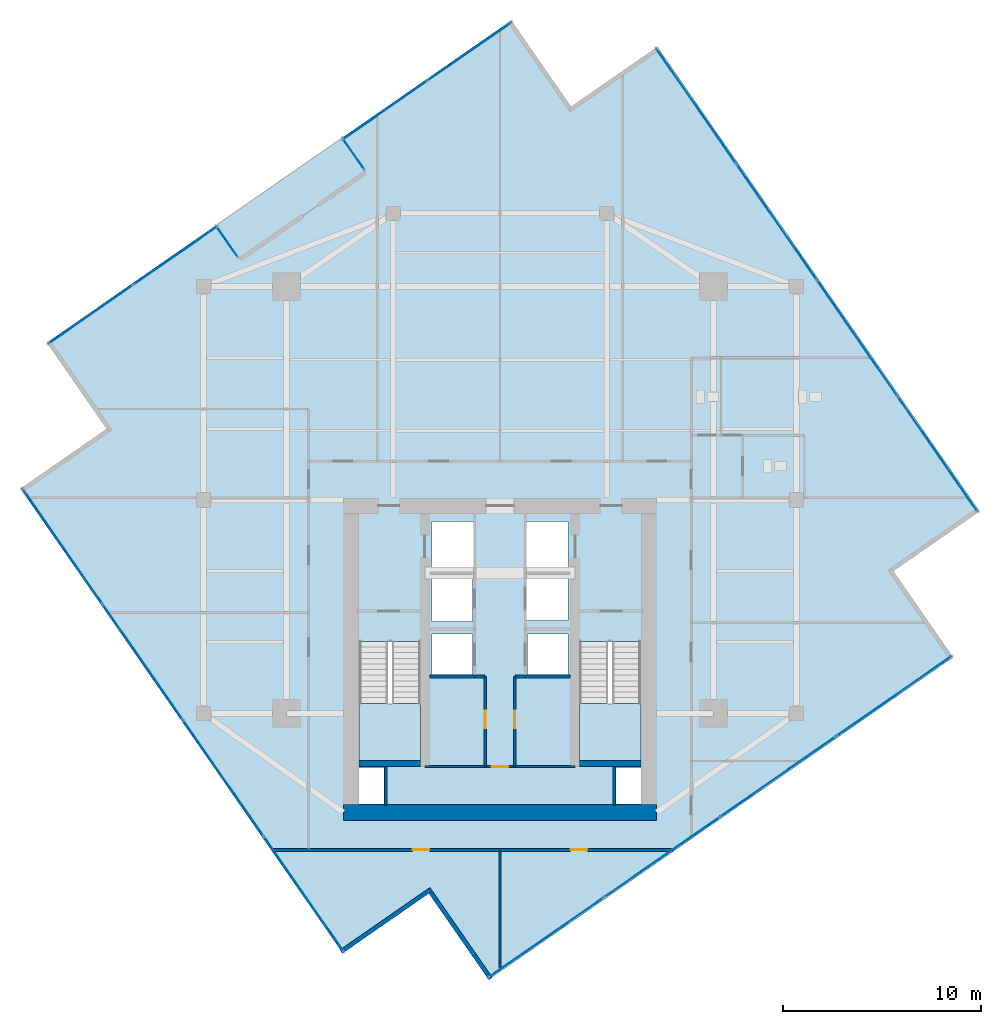
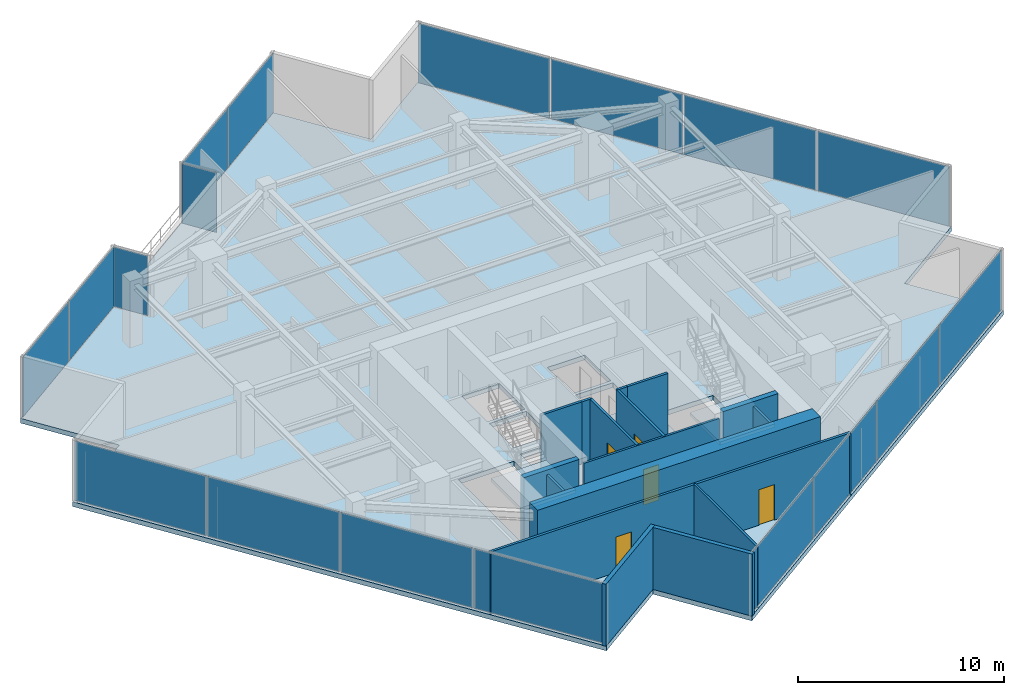
# One storey, part 17 of 21: 18 plates, 16 walls, 5 doors, 3 slabs, 5 openings, 9 elements without a shape of their own.
"""IFC4 building model written with IfcOpenShell, lengths in metres."""

import ifcopenshell
import ifcopenshell.guid

model = None  # the IFC model being written
_history = None  # IfcOwnerHistory: only IFC2X3 demands one
_inside = {}  # id of a spatial element -> (the spatial element, [elements in it])
_under = {}  # id of a project, library or spatial element -> (it, [spatial elements below it])
_declared = {}  # id of a project -> (the project, [libraries it declares])
_typed = {}  # id of a type object -> (the type object, [elements of that type])
_made_of = {}  # id of a material, layer set ... -> (it, [elements and type objects made of it])


def new_model(schema):
    """Start an empty IFC model of exactly this schema.

    Asked for "IFC4X3", IfcOpenShell would pick the latest addendum, in which some entities
    have other attributes; the version numbers below select the first issue.
    IFC2X3 requires an IfcOwnerHistory on every rooted entity: one is made here for all.
    """
    global model, _history
    if schema == "IFC4X3":
        model = ifcopenshell.file(schema_version=(4, 3, 0, 0))
    else:
        model = ifcopenshell.file(schema=schema)
    _inside.clear()
    _under.clear()
    _declared.clear()
    _typed.clear()
    _made_of.clear()
    _history = None
    if model.schema == "IFC2X3":
        org = make("IfcOrganization", Name="unknown")
        user = make(
            "IfcPersonAndOrganization",
            ThePerson=make("IfcPerson", FamilyName="unknown"),
            TheOrganization=org,
        )
        app = make(
            "IfcApplication",
            ApplicationDeveloper=org,
            Version="unknown",
            ApplicationFullName="unknown",
            ApplicationIdentifier="unknown",
        )
        _history = make(
            "IfcOwnerHistory",
            OwningUser=user,
            OwningApplication=app,
            ChangeAction="ADDED",
            CreationDate=0,
        )
    return model


def make(cls, **values):
    """One entity of the class cls with the attributes given. An attribute that is None is left unset."""
    return model.create_entity(
        cls, **{name: value for name, value in values.items() if value is not None}
    )


def rooted(cls, **values):
    """An entity with a GlobalId (a new one), such as an element, a storey or a relation."""
    return make(cls, GlobalId=ifcopenshell.guid.new(), OwnerHistory=_history, **values)


def si_unit(unit_type, name, prefix=None):
    """IfcSIUnit, for example si_unit("LENGTHUNIT", "METRE", prefix="MILLI")."""
    return make("IfcSIUnit", UnitType=unit_type, Prefix=prefix, Name=name)


def assignment(units):
    """IfcUnitAssignment: the units of a project."""
    return None if units is None else make("IfcUnitAssignment", Units=units)


def point(xyz):
    """IfcCartesianPoint."""
    return None if xyz is None else make("IfcCartesianPoint", Coordinates=xyz)


def direction(xyz):
    """IfcDirection."""
    return None if xyz is None else make("IfcDirection", DirectionRatios=xyz)


def frame(location, z_axis=None, x_axis=None):
    """IfcAxis2Placement3D, a coordinate frame: its origin and axes. An axis left out is left unset."""
    return make(
        "IfcAxis2Placement3D",
        Location=point(location),
        Axis=direction(z_axis),
        RefDirection=direction(x_axis),
    )


def frame_2d(location, x_axis=None):
    """IfcAxis2Placement2D, a coordinate frame in the plane: its origin and x axis."""
    return make(
        "IfcAxis2Placement2D", Location=point(location), RefDirection=direction(x_axis)
    )


def origin():
    """The frame at (0, 0, 0) with its axes left unset."""
    return frame((0.0, 0.0, 0.0))


def origin_2d():
    """The frame at (0, 0) in the plane with its x axis left unset."""
    return frame_2d((0.0, 0.0))


def place(relative_to, where):
    """IfcLocalPlacement: puts the frame where relative to a parent placement (None: the world)."""
    return make(
        "IfcLocalPlacement", PlacementRelTo=relative_to, RelativePlacement=where
    )


def context(
    kind, dimensions, precision=None, world=None, true_north=None, identifier=None
):
    """IfcGeometricRepresentationContext, for example the 3D "Model" context."""
    return make(
        "IfcGeometricRepresentationContext",
        ContextIdentifier=identifier,
        ContextType=kind,
        CoordinateSpaceDimension=dimensions,
        Precision=precision,
        WorldCoordinateSystem=world,
        TrueNorth=true_north,
    )


def subcontext(parent, identifier, kind, view, scale=None):
    """IfcGeometricRepresentationSubContext, for example "Body" below "Model"."""
    return make(
        "IfcGeometricRepresentationSubContext",
        ContextIdentifier=identifier,
        ContextType=kind,
        ParentContext=parent,
        TargetScale=scale,
        TargetView=view,
    )


def project(units=None, contexts=None):
    """IfcProject with its units and contexts."""
    return rooted(
        "IfcProject",
        Name="project",
        RepresentationContexts=contexts,
        UnitsInContext=assignment(units),
    )


def spatial(cls, under=None, at=None, **own):
    """A site, building, storey or space (cls), placed at a placement, below another one or the project."""
    s = rooted(cls, ObjectPlacement=at, **own)
    if under is not None:
        _under.setdefault(under.id(), (under, []))[1].append(s)
    return s


def polyline(points):
    """IfcPolyline through the points."""
    return make("IfcPolyline", Points=[point(p) for p in points])


def profile(cls, at=None, kind="AREA", **sizes):
    """A parametric profile (cls). Its sizes go by their IFC names, for example OverallWidth=200.0."""
    return make(cls, ProfileType=kind, Position=at, **sizes)


def rectangle(**sizes):
    """IfcRectangleProfileDef."""
    return profile("IfcRectangleProfileDef", **sizes)


def outline(outer, holes=None, kind="AREA"):
    """IfcArbitraryClosedProfileDef: a profile drawn as a closed curve; with holes, ...WithVoids."""
    if holes is None:
        return make("IfcArbitraryClosedProfileDef", ProfileType=kind, OuterCurve=outer)
    return make(
        "IfcArbitraryProfileDefWithVoids",
        ProfileType=kind,
        OuterCurve=outer,
        InnerCurves=holes,
    )


def extrude(swept, where, along, depth):
    """IfcExtrudedAreaSolid: the profile swept, set in the frame where, extruded along a direction by depth."""
    return make(
        "IfcExtrudedAreaSolid",
        SweptArea=swept,
        Position=where,
        ExtrudedDirection=direction(along),
        Depth=depth,
    )


def shape(context_of_items, identifier, shape_type, items):
    """IfcShapeRepresentation: the items that make up one representation, for example the "Body"."""
    return make(
        "IfcShapeRepresentation",
        ContextOfItems=context_of_items,
        RepresentationIdentifier=identifier,
        RepresentationType=shape_type,
        Items=items,
    )


def source(mapping_origin, context_of_items, identifier, shape_type, items):
    """IfcRepresentationMap: a shape defined once, which mapped items show again and again."""
    return make(
        "IfcRepresentationMap",
        MappingOrigin=mapping_origin,
        MappedRepresentation=shape(context_of_items, identifier, shape_type, items),
    )


def transform(
    local_origin,
    x_axis=None,
    y_axis=None,
    z_axis=None,
    scale=None,
    scale2=None,
    scale3=None,
    uniform=True,
):
    """IfcCartesianTransformationOperator3D, or its non-uniform kind. x_axis, y_axis, z_axis: its Axis1, 2, 3."""
    if uniform:
        return make(
            "IfcCartesianTransformationOperator3D",
            Axis1=direction(x_axis),
            Axis2=direction(y_axis),
            LocalOrigin=point(local_origin),
            Scale=scale,
            Axis3=direction(z_axis),
        )
    return make(
        "IfcCartesianTransformationOperator3DnonUniform",
        Axis1=direction(x_axis),
        Axis2=direction(y_axis),
        LocalOrigin=point(local_origin),
        Scale=scale,
        Axis3=direction(z_axis),
        Scale2=scale2,
        Scale3=scale3,
    )


def mapped(mapping_source, mapping_target):
    """IfcMappedItem: shows the shape of a source again, moved by a transform."""
    return make(
        "IfcMappedItem", MappingSource=mapping_source, MappingTarget=mapping_target
    )


def material(Name=None, Category=None):
    """IfcMaterial."""
    return make("IfcMaterial", Name=Name, Category=Category)


def layer(
    of_material, thickness, ventilated=None, Name=None, Category=None, Priority=None
):
    """IfcMaterialLayer: one layer of a wall or slab, of a material (None: an air gap)."""
    return make(
        "IfcMaterialLayer",
        Material=of_material,
        LayerThickness=thickness,
        IsVentilated=ventilated,
        Name=Name,
        Category=Category,
        Priority=Priority,
    )


def layer_set(layers, Name=None):
    """IfcMaterialLayerSet."""
    return make("IfcMaterialLayerSet", MaterialLayers=layers, LayerSetName=Name)


def made_of(thing, what):
    """Note that an element or type object is made of a material, layer set ...; save() writes the relation."""
    if what is not None:
        _made_of.setdefault(what.id(), (what, []))[1].append(thing)
    return thing


def type_object(cls, material=None, **own):
    """A type object (cls), such as IfcWallType, which elements share."""
    return made_of(rooted(cls, **own), material)


def type_shapes(of_type, sources):
    """Give a type object the sources (RepresentationMaps) that its elements show as mapped items."""
    of_type.RepresentationMaps = sources


def element(
    cls,
    number,
    at=None,
    inside=None,
    cuts=None,
    type_object=None,
    material=None,
    context=None,
    identifier="Body",
    shape_type=None,
    held_by="IfcProductDefinitionShape",
    body=None,
    shapes=None,
    **own,
):
    """One element of the class cls, such as IfcWall. Its Tag is "e" and its number.

    at: its placement. inside: the storey or other place that contains it. cuts: it is an
    opening in that element (IfcRelVoidsElement). A single representation is given by context,
    identifier, shape_type and body (its items); several are given by shapes. held_by: the class
    of the entity that holds the representations. save() writes the other relations.
    """
    e = rooted(cls, Tag="e%d" % number, ObjectPlacement=at, **own)
    if body is not None:
        shapes = [shape(context, identifier, shape_type, body)]
    if shapes is not None:
        e.Representation = make(held_by, Representations=shapes)
    if inside is not None:
        _inside.setdefault(inside.id(), (inside, []))[1].append(e)
    if cuts is not None:
        rooted(
            "IfcRelVoidsElement", RelatingBuildingElement=cuts, RelatedOpeningElement=e
        )
    if type_object is not None:
        _typed.setdefault(type_object.id(), (type_object, []))[1].append(e)
    return made_of(e, material)


def fill(opening, filler):
    """IfcRelFillsElement: the door or window that sits in an opening."""
    return rooted(
        "IfcRelFillsElement",
        RelatingOpeningElement=opening,
        RelatedBuildingElement=filler,
    )


def aggregate(whole, parts):
    """IfcRelAggregates: a whole, such as a stair, and the parts it consists of."""
    return rooted("IfcRelAggregates", RelatingObject=whole, RelatedObjects=parts)


def save(model, path):
    """Write the relations noted so far, then the file.

    IfcRelAggregates (storeys below a building ...), IfcRelContainedInSpatialStructure (elements
    in a storey), IfcRelDefinesByType, IfcRelAssociatesMaterial and IfcRelDeclares: one each for
    every whole, place, type object, material and project.
    """
    for whole, parts in _under.values():
        aggregate(whole, parts)
    for where, things in _inside.values():
        rooted(
            "IfcRelContainedInSpatialStructure",
            RelatedElements=things,
            RelatingStructure=where,
        )
    for kind, things in _typed.values():
        rooted("IfcRelDefinesByType", RelatedObjects=things, RelatingType=kind)
    for what, things in _made_of.values():
        rooted("IfcRelAssociatesMaterial", RelatedObjects=things, RelatingMaterial=what)
    for by, libraries in _declared.values():
        rooted("IfcRelDeclares", RelatingContext=by, RelatedDefinitions=libraries)
    model.write(path)


model = new_model("IFC4")

# Units and contexts
model_context = context("Model", 3, precision=1e-05, world=origin(), true_north=direction((0.0, 1.0)))
body_context = subcontext(model_context, "Body", "Model", "MODEL_VIEW")
ifc_project = project(units=[si_unit("LENGTHUNIT", "METRE"), si_unit("AREAUNIT", "SQUARE_METRE"), si_unit("VOLUMEUNIT", "CUBIC_METRE"), si_unit("PLANEANGLEUNIT", "RADIAN"), si_unit("MASSUNIT", "GRAM", prefix="KILO")], contexts=[model_context])

# Site, building, storey
site_placement = place(None, origin())
site = spatial("IfcSite", under=ifc_project, at=site_placement, CompositionType="ELEMENT")
building_placement = place(site_placement, origin())
building = spatial("IfcBuilding", under=site, at=building_placement, Name="Krantzveldt Concourse Tower", CompositionType="ELEMENT")
storey_placement = place(building_placement, frame((0.0, 0.0, 275.300048828125)))
storey = spatial("IfcBuildingStorey", under=building, at=storey_placement, Name="L67", CompositionType="ELEMENT", Elevation=275.300048828125)

# Stair, slab
ifc_material_1 = material(Name="Precast concrete C40/50", Category="concrete")
stair_type = type_object("IfcStairType", Name="STR-CORE-DOGLEG", PredefinedType="HALF_TURN_STAIR", material=ifc_material_1)
stair_1_placement = place(storey_placement, origin())
stair_1 = element("IfcStair", 1, at=stair_1_placement, inside=storey, type_object=stair_type, Name="L67 Protected Escape Stair ST-1", PredefinedType="HALF_TURN_STAIR")
ifc_layer_1 = layer(ifc_material_1, 0.199951171875, Name="Precast concrete C40/50", Category="concrete")
ifc_layer_set_1 = layer_set([ifc_layer_1], Name="Precast concrete C40/50 (SL-LANDING-200)")
slab_type_1 = type_object("IfcSlabType", Name="SL-LANDING-200", PredefinedType="LANDING", material=ifc_layer_set_1)
slab_1_placement = place(storey_placement, frame((0.0, 0.0, 1.77490234375)))
slab_1 = element("IfcSlab", 2, at=slab_1_placement, type_object=slab_type_1, Name="ST-1 landing 1", PredefinedType="LANDING", context=body_context, shape_type="SweptSolid", body=[
    extrude(outline(polyline([(28.8798828125, 16.4150390625), (28.8798828125, 13.52001953125), (31.97998046875, 13.52001953125), (31.97998046875, 16.4150390625), (28.8798828125, 16.4150390625)])), origin(), (0.0, 0.0, 1.0), 0.199951171875),
])
aggregate(stair_1, [slab_1])

stair_2_placement = place(storey_placement, origin())
stair_2 = element("IfcStair", 3, at=stair_2_placement, inside=storey, type_object=stair_type, Name="L67 Protected Escape Stair ST-2", PredefinedType="HALF_TURN_STAIR")
slab_2_placement = place(storey_placement, frame((0.0, 0.0, 1.77490234375)))
slab_2 = element("IfcSlab", 4, at=slab_2_placement, type_object=slab_type_1, Name="ST-2 landing 1", PredefinedType="LANDING", context=body_context, shape_type="SweptSolid", body=[
    extrude(outline(polyline([(40.02001953125, 16.4150390625), (40.02001953125, 13.52001953125), (43.1201171875, 13.52001953125), (43.1201171875, 16.4150390625), (40.02001953125, 16.4150390625)])), origin(), (0.0, 0.0, 1.0), 0.199951171875),
])
aggregate(stair_2, [slab_2])

# Slab
ifc_material_2 = material(Name="Concrete C40/50", Category="concrete")
ifc_layer_2 = layer(ifc_material_2, 0.280029296875, Name="Concrete C40/50", Category="concrete")
ifc_layer_set_2 = layer_set([ifc_layer_2], Name="Concrete C40/50 (SL-SL-TER280)")
slab_type_2 = type_object("IfcSlabType", Name="SL-SL-TER280", PredefinedType="FLOOR", material=ifc_layer_set_2)
slab_3_placement = place(storey_placement, frame((0.0, 0.0, -0.280029296875)))
element("IfcSlab", 5, at=slab_3_placement, inside=storey, type_object=slab_type_2, Name="SL-L67-MAIN", PredefinedType="FLOOR", context=body_context, shape_type="SweptSolid", body=[
    extrude(outline(polyline([(39.5986328125, 46.6005859375), (36.57763671875, 50.955322265625), (13.07861328125, 34.6533203125), (16.099609375, 30.298583984375), (11.744873046875, 27.277587890625), (28.046630859375, 3.778564453125), (32.4013671875, 6.799560546875), (35.42236328125, 2.44482421875), (58.92138671875, 18.74658203125), (55.900390625, 23.101318359375), (60.255126953125, 26.122314453125), (43.953369140625, 49.62158203125), (39.5986328125, 46.6005859375)]), holes=[polyline([(28.8798828125, 19.547607421875), (28.8798828125, 13.52001953125), (31.97998046875, 13.52001953125), (31.97998046875, 19.547607421875), (28.8798828125, 19.547607421875)]), polyline([(40.02001953125, 19.547607421875), (40.02001953125, 13.52001953125), (43.1201171875, 13.52001953125), (43.1201171875, 19.547607421875), (40.02001953125, 19.547607421875)]), polyline([(32.550048828125, 23.10009765625), (34.64990234375, 23.10009765625), (34.64990234375, 25.60009765625), (32.550048828125, 25.60009765625), (32.550048828125, 23.10009765625)]), polyline([(37.35009765625, 23.10009765625), (39.449951171875, 23.10009765625), (39.449951171875, 25.60009765625), (37.35009765625, 25.60009765625), (37.35009765625, 23.10009765625)]), polyline([(37.35009765625, 20.60009765625), (39.449951171875, 20.60009765625), (39.449951171875, 22.89990234375), (37.35009765625, 22.89990234375), (37.35009765625, 20.60009765625)]), polyline([(32.550048828125, 20.550048828125), (34.6201171875, 20.550048828125), (34.6201171875, 22.89990234375), (32.550048828125, 22.89990234375), (32.550048828125, 20.550048828125)]), polyline([(32.550048828125, 17.8798828125), (34.6201171875, 17.8798828125), (34.6201171875, 19.919921875), (32.550048828125, 19.919921875), (32.550048828125, 17.8798828125)]), polyline([(37.3798828125, 17.8798828125), (39.449951171875, 17.8798828125), (39.449951171875, 19.919921875), (37.3798828125, 19.919921875), (37.3798828125, 17.8798828125)]), polyline([(28.8798828125, 11.320068359375), (30.139892578125, 11.320068359375), (30.139892578125, 13.159912109375), (28.8798828125, 13.159912109375), (28.8798828125, 11.320068359375)]), polyline([(41.860107421875, 11.320068359375), (43.1201171875, 11.320068359375), (43.1201171875, 13.159912109375), (41.860107421875, 13.159912109375), (41.860107421875, 11.320068359375)])]), origin(), (0.0, 0.0, 1.0), 0.280029296875),
])

# Curtain wall, plate
ifc_material_3 = material(Name="Anodised aluminium 6063-T6", Category="aluminium")
curtain_wall_type_1 = type_object("IfcCurtainWallType", Name="CW6", PredefinedType="USERDEFINED", material=ifc_material_3)
curtain_wall_1_placement = place(storey_placement, origin())
curtain_wall_1 = element("IfcCurtainWall", 6, at=curtain_wall_1_placement, inside=storey, type_object=curtain_wall_type_1, Name="CW-L67-TR02", ObjectType="UNITISED CURTAIN WALL", PredefinedType="USERDEFINED")
ifc_material_4 = material(Name="Bronze-tinted laminated low-E IGU glass", Category="glass")
ifc_layer_3 = layer(ifc_material_4, 0.031982421875, Name="Bronze-tinted laminated low-E IGU glass", Category="glass")
ifc_layer_set_3 = layer_set([ifc_layer_3], Name="Bronze-tinted laminated low-E IGU glass (CW-GLZ-32)")
plate_type = type_object("IfcPlateType", Name="CW-GLZ-32", PredefinedType="CURTAIN_PANEL", material=ifc_layer_set_3)
shared_shape_1 = source(origin(), body_context, "Body", "SweptSolid", [
    extrude(rectangle(XDim=1.860107421875, YDim=0.031982421875, at=origin_2d()), origin(), (0.0, 0.0, 1.0), 3.530029296875),
])
plate_1_placement = place(storey_placement, frame((28.59423828125, 44.199951171875, 0.06982421875), z_axis=(0.0, 0.0, 1.0), x_axis=(0.569997514107, -0.8216464166, 0.0)))
plate_1 = element("IfcPlate", 7, at=plate_1_placement, type_object=plate_type, Name="CW-TERR panel 1.1", PredefinedType="CURTAIN_PANEL", context=body_context, shape_type="MappedRepresentation", body=[
    mapped(shared_shape_1, transform((0.0, 0.0, 0.0), x_axis=(1.0, 0.0, 0.0), y_axis=(0.0, 1.0, 0.0), z_axis=(0.0, 0.0, 1.0), scale=1.0)),
])
aggregate(curtain_wall_1, [plate_1])

curtain_wall_2_placement = place(storey_placement, origin())
curtain_wall_2 = element("IfcCurtainWall", 8, at=curtain_wall_2_placement, inside=storey, type_object=curtain_wall_type_1, Name="CW-L67-TR04", ObjectType="UNITISED CURTAIN WALL", PredefinedType="USERDEFINED")
plate_2_placement = place(storey_placement, frame((22.201904296875, 39.765380859375, 0.06982421875), z_axis=(0.0, 0.0, 1.0), x_axis=(-0.569996480262, 0.821647133805, 0.0)))
plate_2 = element("IfcPlate", 9, at=plate_2_placement, type_object=plate_type, Name="CW-TERR panel 1.1", PredefinedType="CURTAIN_PANEL", context=body_context, shape_type="MappedRepresentation", body=[
    mapped(shared_shape_1, transform((0.0, 0.0, 0.0), x_axis=(1.0, 0.0, 0.0), y_axis=(0.0, 1.0, 0.0), z_axis=(0.0, 0.0, 1.0), scale=1.0)),
])
aggregate(curtain_wall_2, [plate_2])

# Curtain wall, plates
curtain_wall_type_2 = type_object("IfcCurtainWallType", Name="CW4", PredefinedType="USERDEFINED", material=ifc_material_3)
curtain_wall_3_placement = place(storey_placement, origin())
curtain_wall_3 = element("IfcCurtainWall", 10, at=curtain_wall_3_placement, inside=storey, type_object=curtain_wall_type_2, Name="CW-L67-F08", ObjectType="UNITISED CURTAIN WALL", PredefinedType="USERDEFINED")
shared_shape_2 = source(origin(), body_context, "Body", "SweptSolid", [
    extrude(rectangle(XDim=7.044921875, YDim=0.031982421875, at=origin_2d()), origin(), (0.0, 0.0, 1.0), 3.530029296875),
])
plate_3_placement = place(storey_placement, frame((13.866455078125, 24.377197265625, 0.06982421875), z_axis=(0.0, 0.0, 1.0), x_axis=(0.569996627395, -0.821647031735, 0.0)))
plate_3 = element("IfcPlate", 11, at=plate_3_placement, type_object=plate_type, Name="CW-Z56 panel 1.1", PredefinedType="CURTAIN_PANEL", context=body_context, shape_type="MappedRepresentation", body=[
    mapped(shared_shape_2, transform((0.0, 0.0, 0.0), x_axis=(1.0, 0.0, 0.0), y_axis=(0.0, 1.0, 0.0), z_axis=(0.0, 0.0, 1.0), scale=1.0)),
])
plate_4_placement = place(storey_placement, frame((26.072998046875, 6.781494140625, 0.06982421875), z_axis=(0.0, 0.0, 1.0), x_axis=(0.569996627395, -0.821647031735, 0.0)))
plate_4 = element("IfcPlate", 12, at=plate_4_placement, type_object=plate_type, Name="CW-Z56 panel 4.1", PredefinedType="CURTAIN_PANEL", context=body_context, shape_type="MappedRepresentation", body=[
    mapped(shared_shape_2, transform((0.0, 0.0, 0.0), x_axis=(1.0, 0.0, 0.0), y_axis=(0.0, 1.0, 0.0), z_axis=(0.0, 0.0, 1.0), scale=1.0)),
])

curtain_wall_4_placement = place(storey_placement, origin())
curtain_wall_4 = element("IfcCurtainWall", 13, at=curtain_wall_4_placement, inside=storey, type_object=curtain_wall_type_2, Name="CW-L67-F11", ObjectType="UNITISED CURTAIN WALL", PredefinedType="USERDEFINED")
plate_5_placement = place(storey_placement, frame((38.32275390625, 4.56640625, 0.06982421875), z_axis=(0.0, 0.0, 1.0), x_axis=(0.821647031735, 0.569996627395, 0.0)))
plate_5 = element("IfcPlate", 14, at=plate_5_placement, type_object=plate_type, Name="CW-Z56 panel 1.1", PredefinedType="CURTAIN_PANEL", context=body_context, shape_type="MappedRepresentation", body=[
    mapped(shared_shape_2, transform((0.0, 0.0, 0.0), x_axis=(1.0, 0.0, 0.0), y_axis=(0.0, 1.0, 0.0), z_axis=(0.0, 0.0, 1.0), scale=1.0)),
])
plate_6_placement = place(storey_placement, frame((55.91845703125, 16.77294921875, 0.06982421875), z_axis=(0.0, 0.0, 1.0), x_axis=(0.821647031735, 0.569996627395, 0.0)))
plate_6 = element("IfcPlate", 15, at=plate_6_placement, type_object=plate_type, Name="CW-Z56 panel 4.1", PredefinedType="CURTAIN_PANEL", context=body_context, shape_type="MappedRepresentation", body=[
    mapped(shared_shape_2, transform((0.0, 0.0, 0.0), x_axis=(1.0, 0.0, 0.0), y_axis=(0.0, 1.0, 0.0), z_axis=(0.0, 0.0, 1.0), scale=1.0)),
])

curtain_wall_5_placement = place(storey_placement, origin())
curtain_wall_5 = element("IfcCurtainWall", 16, at=curtain_wall_5_placement, inside=storey, type_object=curtain_wall_type_2, Name="CW-L67-F14", ObjectType="UNITISED CURTAIN WALL", PredefinedType="USERDEFINED")
plate_7_placement = place(storey_placement, frame((58.133544921875, 29.02294921875, 0.06982421875), z_axis=(0.0, 0.0, 1.0), x_axis=(-0.569996627395, 0.821647031735, 0.0)))
plate_7 = element("IfcPlate", 17, at=plate_7_placement, type_object=plate_type, Name="CW-Z56 panel 1.1", PredefinedType="CURTAIN_PANEL", context=body_context, shape_type="MappedRepresentation", body=[
    mapped(shared_shape_2, transform((0.0, 0.0, 0.0), x_axis=(1.0, 0.0, 0.0), y_axis=(0.0, 1.0, 0.0), z_axis=(0.0, 0.0, 1.0), scale=1.0)),
])
plate_8_placement = place(storey_placement, frame((45.927001953125, 46.618408203125, 0.06982421875), z_axis=(0.0, 0.0, 1.0), x_axis=(-0.569996627395, 0.821647031735, 0.0)))
plate_8 = element("IfcPlate", 18, at=plate_8_placement, type_object=plate_type, Name="CW-Z56 panel 4.1", PredefinedType="CURTAIN_PANEL", context=body_context, shape_type="MappedRepresentation", body=[
    mapped(shared_shape_2, transform((0.0, 0.0, 0.0), x_axis=(1.0, 0.0, 0.0), y_axis=(0.0, 1.0, 0.0), z_axis=(0.0, 0.0, 1.0), scale=1.0)),
])

# Plate
shared_shape_3 = source(origin(), body_context, "Body", "SweptSolid", [
    extrude(rectangle(XDim=7.080078125, YDim=0.031982421875, at=origin_2d()), origin(), (0.0, 0.0, 1.0), 3.530029296875),
])
plate_9_placement = place(storey_placement, frame((17.931884765625, 18.516845703125, 0.06982421875), z_axis=(0.0, 0.0, 1.0), x_axis=(0.569996627395, -0.821647031735, 0.0)))
plate_9 = element("IfcPlate", 19, at=plate_9_placement, type_object=plate_type, Name="CW-Z56 panel 2.1", PredefinedType="CURTAIN_PANEL", context=body_context, shape_type="MappedRepresentation", body=[
    mapped(shared_shape_3, transform((0.0, 0.0, 0.0), x_axis=(1.0, 0.0, 0.0), y_axis=(0.0, 1.0, 0.0), z_axis=(0.0, 0.0, 1.0), scale=1.0)),
])

plate_10_placement = place(storey_placement, frame((22.00732421875, 12.64208984375, 0.06982421875), z_axis=(0.0, 0.0, 1.0), x_axis=(0.569996627395, -0.821647031735, 0.0)))
plate_10 = element("IfcPlate", 20, at=plate_10_placement, type_object=plate_type, Name="CW-Z56 panel 3.1", PredefinedType="CURTAIN_PANEL", context=body_context, shape_type="MappedRepresentation", body=[
    mapped(shared_shape_3, transform((0.0, 0.0, 0.0), x_axis=(1.0, 0.0, 0.0), y_axis=(0.0, 1.0, 0.0), z_axis=(0.0, 0.0, 1.0), scale=1.0)),
])

aggregate(curtain_wall_3, [plate_3, plate_9, plate_10, plate_4])

plate_11_placement = place(storey_placement, frame((44.183349609375, 8.6318359375, 0.06982421875), z_axis=(0.0, 0.0, 1.0), x_axis=(0.821647031735, 0.569996627395, 0.0)))
plate_11 = element("IfcPlate", 21, at=plate_11_placement, type_object=plate_type, Name="CW-Z56 panel 2.1", PredefinedType="CURTAIN_PANEL", context=body_context, shape_type="MappedRepresentation", body=[
    mapped(shared_shape_3, transform((0.0, 0.0, 0.0), x_axis=(1.0, 0.0, 0.0), y_axis=(0.0, 1.0, 0.0), z_axis=(0.0, 0.0, 1.0), scale=1.0)),
])

plate_12_placement = place(storey_placement, frame((50.05810546875, 12.70751953125, 0.06982421875), z_axis=(0.0, 0.0, 1.0), x_axis=(0.821647031735, 0.569996627395, 0.0)))
plate_12 = element("IfcPlate", 22, at=plate_12_placement, type_object=plate_type, Name="CW-Z56 panel 3.1", PredefinedType="CURTAIN_PANEL", context=body_context, shape_type="MappedRepresentation", body=[
    mapped(shared_shape_3, transform((0.0, 0.0, 0.0), x_axis=(1.0, 0.0, 0.0), y_axis=(0.0, 1.0, 0.0), z_axis=(0.0, 0.0, 1.0), scale=1.0)),
])

aggregate(curtain_wall_4, [plate_5, plate_11, plate_12, plate_6])

plate_13_placement = place(storey_placement, frame((54.068115234375, 34.88330078125, 0.06982421875), z_axis=(0.0, 0.0, 1.0), x_axis=(-0.569996627395, 0.821647031735, 0.0)))
plate_13 = element("IfcPlate", 23, at=plate_13_placement, type_object=plate_type, Name="CW-Z56 panel 2.1", PredefinedType="CURTAIN_PANEL", context=body_context, shape_type="MappedRepresentation", body=[
    mapped(shared_shape_3, transform((0.0, 0.0, 0.0), x_axis=(1.0, 0.0, 0.0), y_axis=(0.0, 1.0, 0.0), z_axis=(0.0, 0.0, 1.0), scale=1.0)),
])

plate_14_placement = place(storey_placement, frame((49.99267578125, 40.758056640625, 0.06982421875), z_axis=(0.0, 0.0, 1.0), x_axis=(-0.569996627395, 0.821647031735, 0.0)))
plate_14 = element("IfcPlate", 24, at=plate_14_placement, type_object=plate_type, Name="CW-Z56 panel 3.1", PredefinedType="CURTAIN_PANEL", context=body_context, shape_type="MappedRepresentation", body=[
    mapped(shared_shape_3, transform((0.0, 0.0, 0.0), x_axis=(1.0, 0.0, 0.0), y_axis=(0.0, 1.0, 0.0), z_axis=(0.0, 0.0, 1.0), scale=1.0)),
])

aggregate(curtain_wall_5, [plate_7, plate_13, plate_14, plate_8])

# Curtain wall, plates
curtain_wall_6_placement = place(storey_placement, origin())
curtain_wall_6 = element("IfcCurtainWall", 25, at=curtain_wall_6_placement, inside=storey, type_object=curtain_wall_type_2, Name="CW-L67-F01", ObjectType="UNITISED CURTAIN WALL", PredefinedType="USERDEFINED")
shared_shape_4 = source(origin(), body_context, "Body", "SweptSolid", [
    extrude(rectangle(XDim=5.14501953125, YDim=0.031982421875, at=origin_2d()), origin(), (0.0, 0.0, 1.0), 3.530029296875),
])
type_shapes(plate_type, [shared_shape_1, shared_shape_2, shared_shape_3, shared_shape_4])
plate_15_placement = place(storey_placement, frame((34.457763671875, 49.375, 0.06982421875), z_axis=(0.0, 0.0, 1.0), x_axis=(-0.821647117748, -0.569996503407, 0.0)))
plate_15 = element("IfcPlate", 26, at=plate_15_placement, type_object=plate_type, Name="CW-Z56 panel 1.1", PredefinedType="CURTAIN_PANEL", context=body_context, shape_type="MappedRepresentation", body=[
    mapped(shared_shape_4, transform((0.0, 0.0, 0.0), x_axis=(1.0, 0.0, 0.0), y_axis=(0.0, 1.0, 0.0), z_axis=(0.0, 0.0, 1.0), scale=1.0)),
])
plate_16_placement = place(storey_placement, frame((30.1728515625, 46.402587890625, 0.06982421875), z_axis=(0.0, 0.0, 1.0), x_axis=(-0.821647117748, -0.569996503407, 0.0)))
plate_16 = element("IfcPlate", 27, at=plate_16_placement, type_object=plate_type, Name="CW-Z56 panel 2.1", PredefinedType="CURTAIN_PANEL", context=body_context, shape_type="MappedRepresentation", body=[
    mapped(shared_shape_4, transform((0.0, 0.0, 0.0), x_axis=(1.0, 0.0, 0.0), y_axis=(0.0, 1.0, 0.0), z_axis=(0.0, 0.0, 1.0), scale=1.0)),
])
aggregate(curtain_wall_6, [plate_15, plate_16])

curtain_wall_7_placement = place(storey_placement, origin())
curtain_wall_7 = element("IfcCurtainWall", 28, at=curtain_wall_7_placement, inside=storey, type_object=curtain_wall_type_2, Name="CW-L67-F05", ObjectType="UNITISED CURTAIN WALL", PredefinedType="USERDEFINED")
plate_17_placement = place(storey_placement, frame((19.5859375, 39.05810546875, 0.06982421875), z_axis=(0.0, 0.0, 1.0), x_axis=(-0.82164742717, -0.569996057376, 0.0)))
plate_17 = element("IfcPlate", 29, at=plate_17_placement, type_object=plate_type, Name="CW-Z56 panel 1.1", PredefinedType="CURTAIN_PANEL", context=body_context, shape_type="MappedRepresentation", body=[
    mapped(shared_shape_4, transform((0.0, 0.0, 0.0), x_axis=(1.0, 0.0, 0.0), y_axis=(0.0, 1.0, 0.0), z_axis=(0.0, 0.0, 1.0), scale=1.0)),
])
plate_18_placement = place(storey_placement, frame((15.301025390625, 36.085693359375, 0.06982421875), z_axis=(0.0, 0.0, 1.0), x_axis=(-0.82164742717, -0.569996057376, 0.0)))
plate_18 = element("IfcPlate", 30, at=plate_18_placement, type_object=plate_type, Name="CW-Z56 panel 2.1", PredefinedType="CURTAIN_PANEL", context=body_context, shape_type="MappedRepresentation", body=[
    mapped(shared_shape_4, transform((0.0, 0.0, 0.0), x_axis=(1.0, 0.0, 0.0), y_axis=(0.0, 1.0, 0.0), z_axis=(0.0, 0.0, 1.0), scale=1.0)),
])
aggregate(curtain_wall_7, [plate_17, plate_18])

# Walls
ifc_layer_4 = layer(ifc_material_3, 0.219970703125, Name="Anodised aluminium 6063-T6", Category="aluminium")
ifc_layer_set_4 = layer_set([ifc_layer_4], Name="Anodised aluminium 6063-T6 (WL-EXT-NOTCH220)")
wall_type_1 = type_object("IfcWallType", Name="WL-EXT-NOTCH220", PredefinedType="ELEMENTEDWALL", material=ifc_layer_set_4)
wall_1_placement = place(storey_placement, frame((27.96337890625, 3.854736328125, 0.0), z_axis=(0.0, 0.0, 1.0), x_axis=(0.821652918874, 0.569988141022, 0.0)))
element("IfcWall", 31, at=wall_1_placement, inside=storey, type_object=wall_type_1, Name="EW-L67-NCH09", PredefinedType="ELEMENTEDWALL", context=body_context, shape_type="SweptSolid", body=[
    extrude(rectangle(XDim=5.545166015625, YDim=0.219970703125, at=frame_2d((2.7724609375, 0.0))), origin(), (0.0, 0.0, 1.0), 3.669921875),
])
wall_2_placement = place(storey_placement, frame((32.49169921875, 6.8623046875, 0.0), z_axis=(0.0, 0.0, 1.0), x_axis=(0.569998811791, -0.821645516361, 0.0)))
element("IfcWall", 32, at=wall_2_placement, inside=storey, type_object=wall_type_1, Name="EW-L67-NCH10", PredefinedType="ELEMENTEDWALL", context=body_context, shape_type="SweptSolid", body=[
    extrude(rectangle(XDim=5.3251953125, YDim=0.219970703125, at=frame_2d((2.66259765625, 0.0))), origin(), (0.0, 0.0, 1.0), 3.669921875),
])

# Wall, opening, door
ifc_material_5 = material(Name="Fire-rated gypsum plasterboard on steel stud", Category="steel")
ifc_layer_5 = layer(ifc_material_5, 0.1201171875, Name="Fire-rated gypsum plasterboard on steel stud", Category="steel")
ifc_layer_set_5 = layer_set([ifc_layer_5], Name="Fire-rated gypsum plasterboard on steel stud (WL-PART-120)")
wall_type_2 = type_object("IfcWallType", Name="WL-PART-120", PredefinedType="PARTITIONING", material=ifc_layer_set_5)
wall_3_placement = place(storey_placement, frame((32.2099609375, 13.219970703125, 0.0), z_axis=(0.0, 0.0, 1.0), x_axis=(1.0, 0.0, 0.0)))
wall_3 = element("IfcWall", 33, at=wall_3_placement, inside=storey, type_object=wall_type_2, Name="WP-L67-CS2H", PredefinedType="PARTITIONING", context=body_context, shape_type="SweptSolid", body=[
    extrude(rectangle(XDim=7.580078125, YDim=0.1201171875, at=frame_2d((3.7900390625, 0.0))), origin(), (0.0, 0.0, 1.0), 3.669921875),
])
opening_1_placement = place(wall_3_placement, frame((3.364990234375, 0.0, 0.0)))
opening_1 = element("IfcOpeningElement", 34, at=opening_1_placement, cuts=wall_3, Name="Opening D-IN085", PredefinedType="OPENING", context=body_context, shape_type="SweptSolid", body=[
    extrude(rectangle(XDim=0.85009765625, YDim=2.10009765625, at=frame_2d((0.425048828125, 1.050048828125))), frame((0.0, 0.070068359375, 0.0), z_axis=(0.0, -1.0, 0.0), x_axis=(1.0, 0.0, 0.0)), (0.0, 0.0, 1.0), 0.14013671875),
])
ifc_material_6 = material(Name="Hardwood timber", Category="wood")
door_type_1 = type_object("IfcDoorType", Name="DR-INT-850", OperationType="SINGLE_SWING_LEFT", PredefinedType="DOOR", material=ifc_material_6)
door_1_placement = place(opening_1_placement, origin())
door_1 = element("IfcDoor", 35, at=door_1_placement, inside=storey, type_object=door_type_1, Name="DR-L67-CSC1", OperationType="SINGLE_SWING_RIGHT", OverallHeight=2.10009765625, OverallWidth=0.85009765625, PredefinedType="DOOR", context=body_context, shape_type="SweptSolid", body=[
    extrude(rectangle(XDim=0.85009765625, YDim=2.10009765625, at=frame_2d((0.425048828125, 1.050048828125))), frame((0.0, 0.02490234375, 0.0), z_axis=(0.0, -1.0, 0.0), x_axis=(1.0, 0.0, 0.0)), (0.0, 0.0, 1.0), 0.050048828125),
])
fill(opening_1, door_1)

# Wall
wall_4_placement = place(storey_placement, frame((36.0, 2.955078125, 0.0), z_axis=(0.0, 0.0, 1.0), x_axis=(0.0, 1.0, 0.0)))
element("IfcWall", 36, at=wall_4_placement, inside=storey, type_object=wall_type_2, Name="WP-L67-SSMD", PredefinedType="PARTITIONING", context=body_context, shape_type="SweptSolid", body=[
    extrude(rectangle(XDim=6.044921875, YDim=0.1201171875, at=frame_2d((3.0224609375, 0.0))), origin(), (0.0, 0.0, 1.0), 3.669921875),
])

# Wall, openings, doors
ifc_layer_6 = layer(ifc_material_5, 0.139892578125, Name="Fire-rated gypsum plasterboard on steel stud", Category="steel")
ifc_layer_set_6 = layer_set([ifc_layer_6], Name="Fire-rated gypsum plasterboard on steel stud (WL-PART-140)")
wall_type_3 = type_object("IfcWallType", Name="WL-PART-140", PredefinedType="PARTITIONING", material=ifc_layer_set_6)
wall_5_placement = place(storey_placement, frame((24.533935546875, 9.0, 0.0), z_axis=(0.0, 0.0, 1.0), x_axis=(1.0, 0.0, 0.0)))
wall_5 = element("IfcWall", 37, at=wall_5_placement, inside=storey, type_object=wall_type_3, Name="WP-L67-CSBOT", PredefinedType="PARTITIONING", context=body_context, shape_type="SweptSolid", body=[
    extrude(rectangle(XDim=20.179931640625, YDim=0.139892578125, at=frame_2d((10.08984375, 0.0))), origin(), (0.0, 0.0, 1.0), 3.669921875),
])
opening_2_placement = place(wall_5_placement, frame((7.041015625, 0.0, 0.0)))
opening_2 = element("IfcOpeningElement", 38, at=opening_2_placement, cuts=wall_5, Name="Opening D-IN085", PredefinedType="OPENING", context=body_context, shape_type="SweptSolid", body=[
    extrude(rectangle(XDim=0.85009765625, YDim=2.10009765625, at=frame_2d((0.425048828125, 1.050048828125))), frame((0.0, 0.080078125, 0.0), z_axis=(0.0, -1.0, 0.0), x_axis=(1.0, 0.0, 0.0)), (0.0, 0.0, 1.0), 0.159912109375),
])
opening_3_placement = place(wall_5_placement, frame((15.041015625, 0.0, 0.0)))
opening_3 = element("IfcOpeningElement", 39, at=opening_3_placement, cuts=wall_5, Name="Opening D-IN085", PredefinedType="OPENING", context=body_context, shape_type="SweptSolid", body=[
    extrude(rectangle(XDim=0.85009765625, YDim=2.10009765625, at=frame_2d((0.425048828125, 1.050048828125))), frame((0.0, 0.080078125, 0.0), z_axis=(0.0, -1.0, 0.0), x_axis=(1.0, 0.0, 0.0)), (0.0, 0.0, 1.0), 0.159912109375),
])
door_2_placement = place(opening_2_placement, origin())
door_2 = element("IfcDoor", 40, at=door_2_placement, inside=storey, type_object=door_type_1, Name="DR-L67-SR1", OperationType="SINGLE_SWING_LEFT", OverallHeight=2.10009765625, OverallWidth=0.85009765625, PredefinedType="DOOR", context=body_context, shape_type="SweptSolid", body=[
    extrude(rectangle(XDim=0.85009765625, YDim=2.10009765625, at=frame_2d((0.425048828125, 1.050048828125))), frame((0.0, 0.02490234375, 0.0), z_axis=(0.0, -1.0, 0.0), x_axis=(1.0, 0.0, 0.0)), (0.0, 0.0, 1.0), 0.050048828125),
])
fill(opening_2, door_2)
door_3_placement = place(opening_3_placement, origin())
door_3 = element("IfcDoor", 41, at=door_3_placement, inside=storey, type_object=door_type_1, Name="DR-L67-SR2", OperationType="SINGLE_SWING_LEFT", OverallHeight=2.10009765625, OverallWidth=0.85009765625, PredefinedType="DOOR", context=body_context, shape_type="SweptSolid", body=[
    extrude(rectangle(XDim=0.85009765625, YDim=2.10009765625, at=frame_2d((0.425048828125, 1.050048828125))), frame((0.0, 0.02490234375, 0.0), z_axis=(0.0, -1.0, 0.0), x_axis=(1.0, 0.0, 0.0)), (0.0, 0.0, 1.0), 0.050048828125),
])
fill(opening_3, door_3)

# Walls
ifc_layer_7 = layer(ifc_material_5, 0.139892578125, Name="Fire-rated gypsum plasterboard on steel stud", Category="steel")
ifc_layer_set_7 = layer_set([ifc_layer_7], Name="Fire-rated gypsum plasterboard on steel stud (WL-PART-FR140)")
wall_type_4 = type_object("IfcWallType", Name="WL-PART-FR140", PredefinedType="PARTITIONING", material=ifc_layer_set_7)
for number, where, z_axis, x_axis, name in (
    (42, (32.449951171875, 17.780029296875, 0.0), (0.0, 0.0, 1.0), (1.0, 0.0, 0.0), "WP-L67-DIVW2"),
    (43, (37.280029296875, 17.780029296875, 0.0), (0.0, 0.0, 1.0), (1.0, 0.0, 0.0), "WP-L67-DIVE2"),
):
    element("IfcWall", number, at=place(storey_placement, frame(where, z_axis=z_axis, x_axis=x_axis)), inside=storey, type_object=wall_type_4, Name=name, PredefinedType="PARTITIONING", context=body_context, shape_type="SweptSolid", body=[
        extrude(rectangle(XDim=2.27001953125, YDim=0.139892578125, at=frame_2d((1.135009765625, 0.0))), origin(), (0.0, 0.0, 1.0), 3.669921875),
    ])

# Wall, opening, door
wall_6_placement = place(storey_placement, frame((35.25, 13.219970703125, 0.0), z_axis=(0.0, 0.0, 1.0), x_axis=(0.0, 1.0, 0.0)))
wall_6 = element("IfcWall", 44, at=wall_6_placement, inside=storey, type_object=wall_type_4, Name="WP-L67-RECW", PredefinedType="PARTITIONING", context=body_context, shape_type="SweptSolid", body=[
    extrude(rectangle(XDim=4.56005859375, YDim=0.139892578125, at=frame_2d((2.280029296875, 0.0))), origin(), (0.0, 0.0, 1.0), 3.669921875),
])
opening_4_placement = place(wall_6_placement, frame((1.929931640625, 0.0, 0.0)))
opening_4 = element("IfcOpeningElement", 45, at=opening_4_placement, cuts=wall_6, Name="Opening D-FD090", PredefinedType="OPENING", context=body_context, shape_type="SweptSolid", body=[
    extrude(rectangle(XDim=0.89990234375, YDim=2.10009765625, at=frame_2d((0.449951171875, 1.050048828125))), frame((0.0, 0.080078125, 0.0), z_axis=(0.0, -1.0, 0.0), x_axis=(1.0, 0.0, 0.0)), (0.0, 0.0, 1.0), 0.159912109375),
])
door_type_2 = type_object("IfcDoorType", Name="DR-FD60-900", OperationType="SINGLE_SWING_LEFT", PredefinedType="DOOR", material=ifc_material_6)
door_4_placement = place(opening_4_placement, origin())
door_4 = element("IfcDoor", 46, at=door_4_placement, inside=storey, type_object=door_type_2, Name="DR-L67-RECW", OperationType="SINGLE_SWING_LEFT", OverallHeight=2.10009765625, OverallWidth=0.89990234375, PredefinedType="DOOR", context=body_context, shape_type="SweptSolid", body=[
    extrude(rectangle(XDim=0.89990234375, YDim=2.10009765625, at=frame_2d((0.449951171875, 1.050048828125))), frame((0.0, 0.02490234375, 0.0), z_axis=(0.0, -1.0, 0.0), x_axis=(1.0, 0.0, 0.0)), (0.0, 0.0, 1.0), 0.050048828125),
])
fill(opening_4, door_4)

# Wall
wall_7_placement = place(storey_placement, frame((34.719970703125, 17.780029296875, 0.0), z_axis=(0.0, 0.0, 1.0), x_axis=(1.0, 0.0, 0.0)))
element("IfcWall", 47, at=wall_7_placement, inside=storey, type_object=wall_type_4, Name="WP-L67-RECWN", PredefinedType="PARTITIONING", context=body_context, shape_type="SweptSolid", body=[
    extrude(rectangle(XDim=0.530029296875, YDim=0.139892578125, at=frame_2d((0.26513671875, 0.0))), origin(), (0.0, 0.0, 1.0), 3.669921875),
])

# Wall, opening, door
wall_8_placement = place(storey_placement, frame((36.75, 13.219970703125, 0.0), z_axis=(0.0, 0.0, 1.0), x_axis=(0.0, 1.0, 0.0)))
wall_8 = element("IfcWall", 48, at=wall_8_placement, inside=storey, type_object=wall_type_4, Name="WP-L67-RECE", PredefinedType="PARTITIONING", context=body_context, shape_type="SweptSolid", body=[
    extrude(rectangle(XDim=4.56005859375, YDim=0.139892578125, at=frame_2d((2.280029296875, 0.0))), origin(), (0.0, 0.0, 1.0), 3.669921875),
])
opening_5_placement = place(wall_8_placement, frame((1.929931640625, 0.0, 0.0)))
opening_5 = element("IfcOpeningElement", 49, at=opening_5_placement, cuts=wall_8, Name="Opening D-FD090", PredefinedType="OPENING", context=body_context, shape_type="SweptSolid", body=[
    extrude(rectangle(XDim=0.89990234375, YDim=2.10009765625, at=frame_2d((0.449951171875, 1.050048828125))), frame((0.0, 0.080078125, 0.0), z_axis=(0.0, -1.0, 0.0), x_axis=(1.0, 0.0, 0.0)), (0.0, 0.0, 1.0), 0.159912109375),
])
door_5_placement = place(opening_5_placement, origin())
door_5 = element("IfcDoor", 50, at=door_5_placement, inside=storey, type_object=door_type_2, Name="DR-L67-RECE", OperationType="SINGLE_SWING_RIGHT", OverallHeight=2.10009765625, OverallWidth=0.89990234375, PredefinedType="DOOR", context=body_context, shape_type="SweptSolid", body=[
    extrude(rectangle(XDim=0.89990234375, YDim=2.10009765625, at=frame_2d((0.449951171875, 1.050048828125))), frame((0.0, 0.02490234375, 0.0), z_axis=(0.0, -1.0, 0.0), x_axis=(1.0, 0.0, 0.0)), (0.0, 0.0, 1.0), 0.050048828125),
])
fill(opening_5, door_5)

# Walls
wall_9_placement = place(storey_placement, frame((36.75, 17.780029296875, 0.0), z_axis=(0.0, 0.0, 1.0), x_axis=(1.0, 0.0, 0.0)))
element("IfcWall", 51, at=wall_9_placement, inside=storey, type_object=wall_type_4, Name="WP-L67-RECEN", PredefinedType="PARTITIONING", context=body_context, shape_type="SweptSolid", body=[
    extrude(rectangle(XDim=0.530029296875, YDim=0.139892578125, at=frame_2d((0.26513671875, 0.0))), origin(), (0.0, 0.0, 1.0), 3.669921875),
])
for number, where, z_axis, x_axis, name in (
    (52, (30.219970703125, 11.25, 0.0), (0.0, 0.0, 1.0), (0.0, 1.0, 0.0), "WP-L67-RSW"),
    (53, (41.780029296875, 11.25, 0.0), (0.0, 0.0, 1.0), (0.0, 1.0, 0.0), "WP-L67-RSE"),
):
    element("IfcWall", number, at=place(storey_placement, frame(where, z_axis=z_axis, x_axis=x_axis)), inside=storey, type_object=wall_type_4, Name=name, PredefinedType="PARTITIONING", context=body_context, shape_type="SweptSolid", body=[
        extrude(rectangle(XDim=1.969970703125, YDim=0.1201171875, at=frame_2d((0.98486328125, 0.0))), origin(), (0.0, 0.0, 1.0), 3.669921875),
    ])
ifc_material_7 = material(Name="Concrete C50/60", Category="concrete")
ifc_layer_8 = layer(ifc_material_7, 0.300048828125, Name="Concrete C50/60", Category="concrete")
ifc_layer_set_8 = layer_set([ifc_layer_8], Name="Concrete C50/60 (WL-SHEAR-300)")
wall_type_5 = type_object("IfcWallType", Name="WL-SHEAR-300", PredefinedType="SHEAR", material=ifc_layer_set_8)
for number, where, z_axis, x_axis, name in (
    (54, (28.8798828125, 13.3701171875, 0.0), (0.0, 0.0, 1.0), (1.0, 0.0, 0.0), "CW-L67-ST1S"),
    (55, (40.02001953125, 13.3701171875, 0.0), (0.0, 0.0, 1.0), (1.0, 0.0, 0.0), "CW-L67-ST2S"),
):
    element("IfcWall", number, at=place(storey_placement, frame(where, z_axis=z_axis, x_axis=x_axis)), inside=storey, type_object=wall_type_5, Name=name, PredefinedType="SHEAR", context=body_context, shape_type="SweptSolid", body=[
        extrude(rectangle(XDim=3.10009765625, YDim=0.300048828125, at=frame_2d((1.550048828125, 0.0))), origin(), (0.0, 0.0, 1.0), 3.949951171875),
    ])
ifc_material_8 = material(Name="Concrete C60/75", Category="concrete")
ifc_layer_9 = layer(ifc_material_8, 0.800048828125, Name="Concrete C60/75", Category="concrete")
ifc_layer_set_9 = layer_set([ifc_layer_9], Name="Concrete C60/75 (WL-SHEAR-800)")
wall_type_6 = type_object("IfcWallType", Name="WL-SHEAR-800", PredefinedType="SHEAR", material=ifc_layer_set_9)
wall_10_placement = place(storey_placement, frame((28.080078125, 10.89990234375, 0.0), z_axis=(0.0, 0.0, 1.0), x_axis=(1.0, 0.0, 0.0)))
element("IfcWall", 56, at=wall_10_placement, inside=storey, type_object=wall_type_6, Name="CW-L67-S", PredefinedType="SHEAR", context=body_context, shape_type="SweptSolid", body=[
    extrude(rectangle(XDim=15.83984375, YDim=0.800048828125, at=frame_2d((7.919921875, 0.0))), origin(), (0.0, 0.0, 1.0), 3.949951171875),
])

save(model, "model.ifc")
